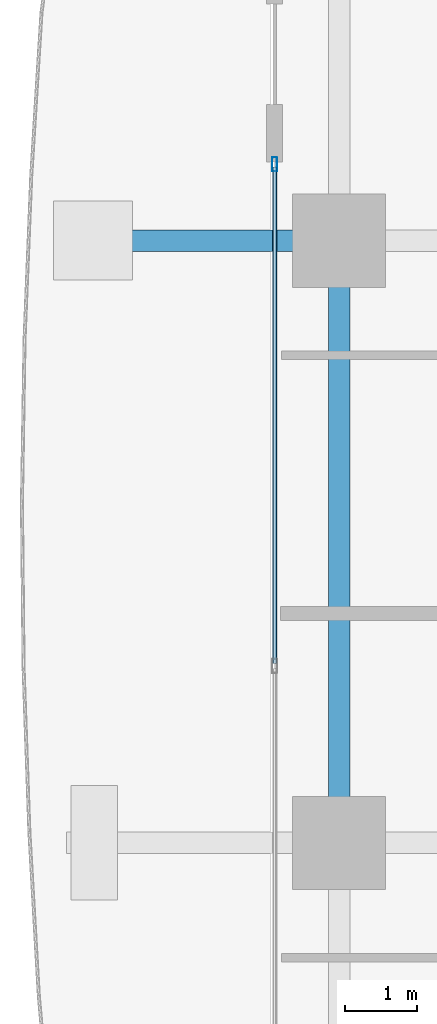
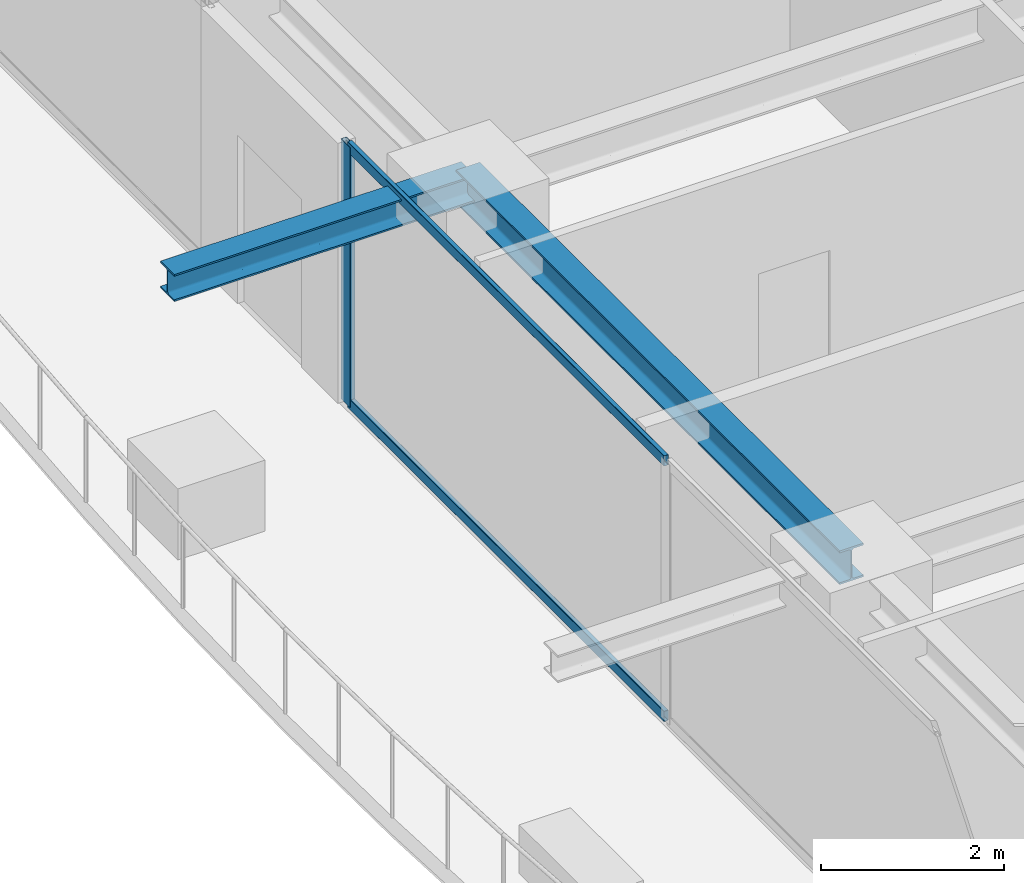
# One storey, part 9 of 39: 3 members, 2 beams, 1 element without a shape of its own.
"""IFC4 building model written with IfcOpenShell, lengths in metres."""

from ifc_helpers import new_model, si_unit, direction, frame, origin, origin_2d, place, context, subcontext, project, spatial, hollow_rectangle, i_section, extrude, source, transform, mapped, material, layer, layer_set, material_profile, profile_set, type_object, element, aggregate, save


model = new_model("IFC4")

# Units and contexts
model_context = context("Model", 3, precision=1e-05, world=origin(), true_north=direction((0.0, 1.0)))
body_context = subcontext(model_context, "Body", "Model", "MODEL_VIEW")
ifc_project = project(units=[si_unit("LENGTHUNIT", "METRE"), si_unit("AREAUNIT", "SQUARE_METRE"), si_unit("VOLUMEUNIT", "CUBIC_METRE"), si_unit("PLANEANGLEUNIT", "RADIAN"), si_unit("MASSUNIT", "GRAM", prefix="KILO")], contexts=[model_context])

# Site, building, storey
site_placement = place(None, origin())
site = spatial("IfcSite", under=ifc_project, at=site_placement, CompositionType="ELEMENT")
building_placement = place(site_placement, origin())
building = spatial("IfcBuilding", under=site, at=building_placement, Name="Serunith Strait Residences", CompositionType="ELEMENT")
storey_placement = place(building_placement, frame((0.0, 0.0, 123.89990234375)))
storey = spatial("IfcBuildingStorey", under=building, at=storey_placement, Name="L30", CompositionType="ELEMENT", Elevation=123.89990234375)

# Beams
ifc_material_1 = material(Name="Steel S355J2", Category="steel")
ifc_material_profile_1 = material_profile(ifc_material_1, i_section(OverallWidth=0.300048828125, OverallDepth=0.449951171875, WebThickness=0.013916015625, FlangeThickness=0.02587890625, FilletRadius=0.027099609375, at=origin_2d()), Name="HEB 450")
ifc_profile_set_1 = profile_set([ifc_material_profile_1], Name="Steel S355J2")
beam_type_1 = type_object("IfcBeamType", Name="BM-HEB450", PredefinedType="BEAM", material=ifc_profile_set_1)
shared_shape_1 = source(origin(), body_context, "Body", "SweptSolid", [
    extrude(i_section(OverallWidth=0.300048828125, OverallDepth=0.449951171875, WebThickness=0.013916015625, FlangeThickness=0.02587890625, FilletRadius=0.027099609375, at=origin_2d()), origin(), (0.0, 0.0, 1.0), 8.39990234375),
])
beam_1_placement = place(storey_placement, frame((8.699951171875, 29.39990234375, 3.26220703125), z_axis=(0.0, -1.0, 0.0), x_axis=(1.0, 0.0, 0.0)))
element("IfcBeam", 1, at=beam_1_placement, inside=storey, type_object=beam_type_1, Name="L30 Perimeter Ring Beam 14", PredefinedType="BEAM", context=body_context, shape_type="MappedRepresentation", body=[
    mapped(shared_shape_1, transform((0.0, 0.0, 0.0), scale=1.0)),
])
ifc_material_profile_2 = material_profile(ifc_material_1, i_section(OverallWidth=0.300048828125, OverallDepth=0.360107421875, WebThickness=0.012451171875, FlangeThickness=0.0224609375, FilletRadius=0.027099609375, at=origin_2d()), Name="HEB 360")
ifc_profile_set_2 = profile_set([ifc_material_profile_2], Name="Steel S355J2")
beam_type_2 = type_object("IfcBeamType", Name="BM-HEB360", PredefinedType="BEAM", material=ifc_profile_set_2)
shared_shape_2 = source(origin(), body_context, "Body", "SweptSolid", [
    extrude(i_section(OverallWidth=0.300048828125, OverallDepth=0.360107421875, WebThickness=0.012451171875, FlangeThickness=0.0224609375, FilletRadius=0.027099609375, at=origin_2d()), origin(), (0.0, 0.0, 1.0), 3.800048828125),
])
beam_2_placement = place(storey_placement, frame((8.699951171875, 29.39990234375, 3.277099609375), z_axis=(-1.0, 0.0, 0.0), x_axis=(0.0, -1.0, 0.0)))
element("IfcBeam", 2, at=beam_2_placement, inside=storey, type_object=beam_type_2, Name="L31 Cantilevered Balcony Rib TC-W3", PredefinedType="BEAM", context=body_context, shape_type="MappedRepresentation", body=[
    mapped(shared_shape_2, transform((0.0, 0.0, 0.0), scale=1.0)),
])

# Curtain wall, members
ifc_material_2 = material(Name="Pale-Champagne Anodised Aluminium", Category="aluminium")
ifc_layer = layer(ifc_material_2, 0.199951171875, Name="Pale-Champagne Anodised Aluminium")
ifc_layer_set = layer_set([ifc_layer], Name="Pale-Champagne Anodised Aluminium")
curtain_wall_type = type_object("IfcCurtainWallType", Name="CW-SYS2", PredefinedType="NOTDEFINED", material=ifc_layer_set)
curtain_wall_placement = place(storey_placement, origin())
curtain_wall = element("IfcCurtainWall", 3, at=curtain_wall_placement, inside=storey, type_object=curtain_wall_type, Name="L30 W Unitised Fritted Curtain Wall", PredefinedType="NOTDEFINED")
ifc_material_profile_3 = material_profile(ifc_material_2, hollow_rectangle(XDim=0.070068359375, YDim=0.199951171875, WallThickness=0.00390625, InnerFilletRadius=0.006103515625, OuterFilletRadius=0.010009765625, at=origin_2d()), Name="ALU 200x70x4")
ifc_profile_set_3 = profile_set([ifc_material_profile_3], Name="Pale-Champagne Anodised Aluminium")
member_type_1 = type_object("IfcMemberType", Name="CW-SYS2-MULL", PredefinedType="MULLION", material=ifc_profile_set_3)
shared_shape_3 = source(origin(), body_context, "Body", "SweptSolid", [
    extrude(hollow_rectangle(XDim=0.070068359375, YDim=0.199951171875, WallThickness=0.00390625, InnerFilletRadius=0.006103515625, OuterFilletRadius=0.010009765625, at=origin_2d()), origin(), (0.0, 0.0, 1.0), 3.47509765625),
])
member_1_placement = place(storey_placement, frame((7.800048828125, 30.465087890625, 0.0), z_axis=(0.0, 0.0, 1.0), x_axis=(1.0, 0.0, 0.0)))
member_1 = element("IfcMember", 4, at=member_1_placement, type_object=member_type_1, Name="CW-2 mullion 1", PredefinedType="MULLION", context=body_context, shape_type="MappedRepresentation", body=[
    mapped(shared_shape_3, transform((0.0, 0.0, 0.0), scale=1.0)),
])
ifc_material_profile_4 = material_profile(ifc_material_2, hollow_rectangle(XDim=0.06005859375, YDim=0.139892578125, WallThickness=0.00341796875, InnerFilletRadius=0.00537109375, OuterFilletRadius=0.0087890625, at=origin_2d()), Name="ALU 140x60x3.5")
ifc_profile_set_4 = profile_set([ifc_material_profile_4], Name="Pale-Champagne Anodised Aluminium")
member_type_2 = type_object("IfcMemberType", Name="CW-SYS2-TRAN", PredefinedType="USERDEFINED", material=ifc_profile_set_4)
shared_shape_4 = source(origin(), body_context, "Body", "SweptSolid", [
    extrude(hollow_rectangle(XDim=0.06005859375, YDim=0.139892578125, WallThickness=0.00341796875, InnerFilletRadius=0.00537109375, OuterFilletRadius=0.0087890625, at=origin_2d()), origin(), (0.0, 0.0, 1.0), 6.92822265625),
])
member_2_placement = place(storey_placement, frame((7.800048828125, 30.429931640625, 0.030029296875), z_axis=(0.0, -1.0, 0.0), x_axis=(1.0, 0.0, 0.0)))
member_2 = element("IfcMember", 5, at=member_2_placement, type_object=member_type_2, Name="CW-2 transom 1.1", ObjectType="TRANSOM", PredefinedType="USERDEFINED", context=body_context, shape_type="MappedRepresentation", body=[
    mapped(shared_shape_4, transform((0.0, 0.0, 0.0), scale=1.0)),
])
member_3_placement = place(storey_placement, frame((7.800048828125, 30.429931640625, 3.445068359375), z_axis=(0.0, -1.0, 0.0), x_axis=(1.0, 0.0, 0.0)))
member_3 = element("IfcMember", 6, at=member_3_placement, type_object=member_type_2, Name="CW-2 transom 1.2", ObjectType="TRANSOM", PredefinedType="USERDEFINED", context=body_context, shape_type="MappedRepresentation", body=[
    mapped(shared_shape_4, transform((0.0, 0.0, 0.0), scale=1.0)),
])
aggregate(curtain_wall, [member_1, member_2, member_3])

save(model, "model.ifc")
